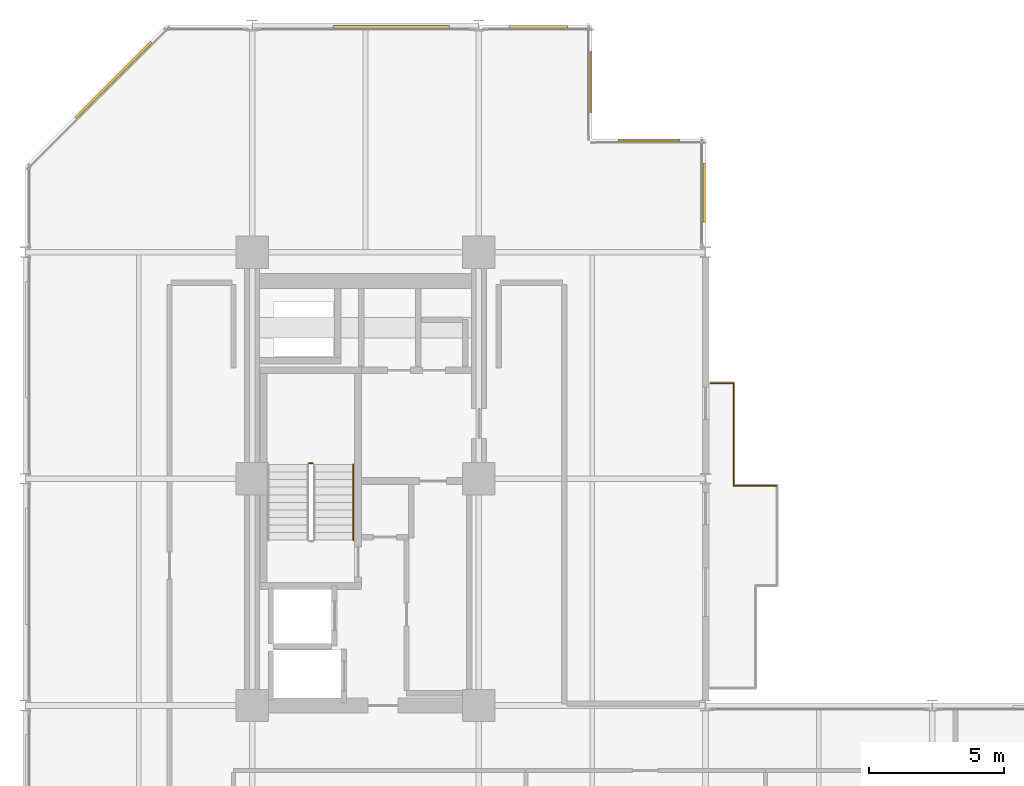
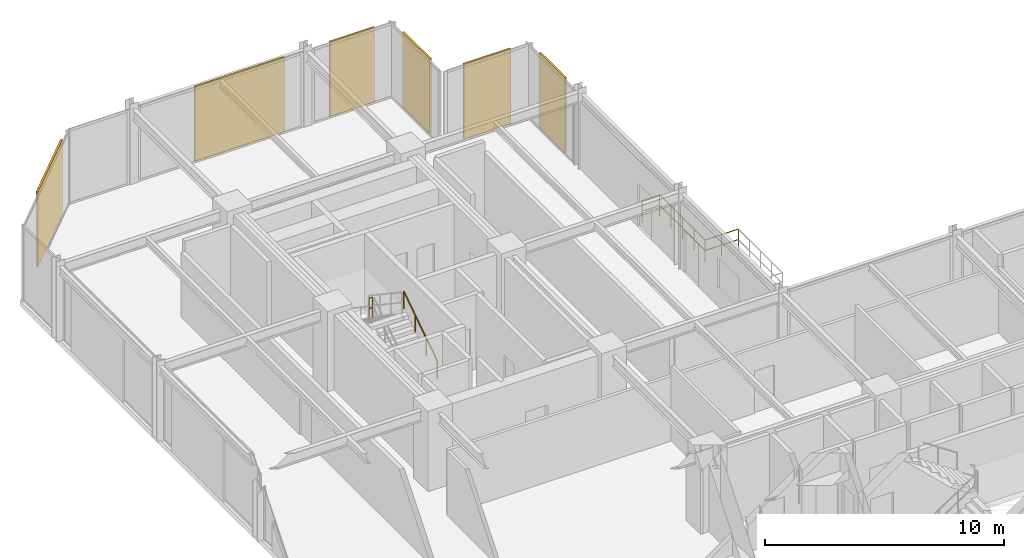
# One storey, part 29 of 29: 6 coverings, 5 railings.
"""IFC4 building model written with IfcOpenShell, lengths in metres."""

from ifc_helpers import new_model, si_unit, direction, frame, origin, origin_2d, place, context, subcontext, project, spatial, rectangle, circle, extrude, material, layer, layer_set, type_object, element, save


model = new_model("IFC4")

# Units and contexts
model_context = context("Model", 3, precision=1e-05, world=origin(), true_north=direction((0.0, 1.0)))
body_context = subcontext(model_context, "Body", "Model", "MODEL_VIEW")
ifc_project = project(units=[si_unit("LENGTHUNIT", "METRE"), si_unit("AREAUNIT", "SQUARE_METRE"), si_unit("VOLUMEUNIT", "CUBIC_METRE"), si_unit("PLANEANGLEUNIT", "RADIAN"), si_unit("MASSUNIT", "GRAM", prefix="KILO")], contexts=[model_context])

# Site, building, storey
site_placement = place(None, origin())
site = spatial("IfcSite", under=ifc_project, at=site_placement, CompositionType="ELEMENT")
building_placement = place(site_placement, origin())
building = spatial("IfcBuilding", under=site, at=building_placement, Name="Nerrivon Quay Data Exchange", CompositionType="ELEMENT")
storey_placement = place(building_placement, frame((0.0, 0.0, 150.0)))
storey = spatial("IfcBuildingStorey", under=building, at=storey_placement, Name="L35", CompositionType="ELEMENT", Elevation=150.0)

# Coverings
ifc_material_1 = material(Name="Architectural terracotta ceramic", Category="masonry")
ifc_layer = layer(ifc_material_1, 0.090087890625)
ifc_layer_set = layer_set([ifc_layer], Name="Architectural terracotta ceramic")
covering_type = type_object("IfcCoveringType", Name="COV-SCR-TERR", PredefinedType="CLADDING", material=ifc_layer_set)
covering_1_placement = place(storey_placement, frame((3.255859375, 48.39208984375, 0.0), z_axis=(0.0, 0.0, 1.0), x_axis=(0.707106781187, 0.707106781187, 0.0)))
element("IfcCovering", 1, at=covering_1_placement, inside=storey, type_object=covering_type, Name="L35 Perforated Terracotta SOLAR SCREEN Cassette", PredefinedType="CLADDING", context=body_context, shape_type="SweptSolid", body=[
    extrude(rectangle(XDim=3.970947265625, YDim=0.090087890625, at=origin_2d()), origin(), (0.0, 0.0, 1.0), 3.824951171875),
])
covering_2_placement = place(storey_placement, frame((13.56005859375, 50.35498046875, 0.0), z_axis=(0.0, 0.0, 1.0), x_axis=(1.0, 0.0, 0.0)))
element("IfcCovering", 2, at=covering_2_placement, inside=storey, type_object=covering_type, Name="L35 Perforated Terracotta SOLAR SCREEN Cassette", PredefinedType="CLADDING", context=body_context, shape_type="SweptSolid", body=[
    extrude(rectangle(XDim=4.320068359375, YDim=0.090087890625, at=origin_2d()), origin(), (0.0, 0.0, 1.0), 3.824951171875),
])
covering_3_placement = place(storey_placement, frame((19.0, 50.35498046875, 0.0), z_axis=(0.0, 0.0, 1.0), x_axis=(1.0, 0.0, 0.0)))
element("IfcCovering", 3, at=covering_3_placement, inside=storey, type_object=covering_type, Name="L35 Perforated Terracotta SOLAR SCREEN Cassette", PredefinedType="CLADDING", context=body_context, shape_type="SweptSolid", body=[
    extrude(rectangle(XDim=2.159912109375, YDim=0.090087890625, at=origin_2d()), origin(), (0.0, 0.0, 1.0), 3.824951171875),
])
for number, where, z_axis, x_axis, name in (
    (4, (20.955078125, 48.300048828125, 0.0), (0.0, 0.0, 1.0), (0.0, -1.0, 0.0), "L35 Perforated Terracotta SOLAR SCREEN Cassette"),
    (5, (23.10009765625, 46.155029296875, 0.0), (0.0, 0.0, 1.0), (1.0, 0.0, 0.0), "L35 Perforated Terracotta SOLAR SCREEN Cassette"),
):
    element("IfcCovering", number, at=place(storey_placement, frame(where, z_axis=z_axis, x_axis=x_axis)), inside=storey, type_object=covering_type, Name=name, PredefinedType="CLADDING", context=body_context, shape_type="SweptSolid", body=[
        extrude(rectangle(XDim=2.26806640625, YDim=0.090087890625, at=origin_2d()), origin(), (0.0, 0.0, 1.0), 3.824951171875),
    ])
covering_4_placement = place(storey_placement, frame((25.155029296875, 44.199951171875, 0.0), z_axis=(0.0, 0.0, 1.0), x_axis=(0.0, -1.0, 0.0)))
element("IfcCovering", 6, at=covering_4_placement, inside=storey, type_object=covering_type, Name="L35 Perforated Terracotta SOLAR SCREEN Cassette", PredefinedType="CLADDING", context=body_context, shape_type="SweptSolid", body=[
    extrude(rectangle(XDim=2.159912109375, YDim=0.090087890625, at=origin_2d()), origin(), (0.0, 0.0, 1.0), 3.824951171875),
])

# Railings
ifc_material_2 = material(Name="Steel Grade C350L0 (350 MPa)", Category="steel")
railing_type_1 = type_object("IfcRailingType", Name="RAIL-GUARD-GR2", PredefinedType="BALUSTRADE", material=ifc_material_2)
railing_1_placement = place(storey_placement, frame((25.3798828125, 37.139892578125, 0.0)))
element("IfcRailing", 7, at=railing_1_placement, inside=storey, type_object=railing_type_1, Name="L35 Verandah Balcony Guard 1.3 1", PredefinedType="BALUSTRADE", context=body_context, shape_type="SweptSolid", body=[
    extrude(circle(Radius=0.02392578125, at=origin_2d()), frame((0.0, 0.0, 1.09619140625), z_axis=(1.0, 0.0, 0.0), x_axis=(0.0, 1.0, 0.0)), (0.0, 0.0, 1.0), 0.860107421875),
    extrude(circle(Radius=0.02392578125, at=origin_2d()), frame((0.0, 0.0, 0.56005859375), z_axis=(1.0, 0.0, 0.0), x_axis=(0.0, 1.0, 0.0)), (0.0, 0.0, 1.0), 0.860107421875),
    extrude(circle(Radius=0.02099609375, at=origin_2d()), origin(), (0.0, 0.0, 1.0), 1.072021484375),
    extrude(circle(Radius=0.02099609375, at=origin_2d()), frame((0.860107421875, 0.0, 0.0)), (0.0, 0.0, 1.0), 1.072021484375),
])
railing_2_placement = place(storey_placement, frame((26.239990234375, 37.139892578125, 0.0)))
element("IfcRailing", 8, at=railing_2_placement, inside=storey, type_object=railing_type_1, Name="L35 Verandah Balcony Guard 1.4 1", PredefinedType="BALUSTRADE", context=body_context, shape_type="SweptSolid", body=[
    extrude(circle(Radius=0.02392578125, at=origin_2d()), frame((0.0, 0.0, 1.09619140625), z_axis=(0.0, -1.0, 0.0), x_axis=(1.0, 0.0, 0.0)), (0.0, 0.0, 1.0), 3.7998046875),
    extrude(circle(Radius=0.02392578125, at=origin_2d()), frame((0.0, 0.0, 0.56005859375), z_axis=(0.0, -1.0, 0.0), x_axis=(1.0, 0.0, 0.0)), (0.0, 0.0, 1.0), 3.7998046875),
    extrude(circle(Radius=0.02099609375, at=origin_2d()), origin(), (0.0, 0.0, 1.0), 1.072021484375),
    extrude(circle(Radius=0.02099609375, at=origin_2d()), frame((0.0, -0.949951171875, 0.0)), (0.0, 0.0, 1.0), 1.072021484375),
    extrude(circle(Radius=0.02099609375, at=origin_2d()), frame((0.0, -1.89990234375, 0.0)), (0.0, 0.0, 1.0), 1.072021484375),
    extrude(circle(Radius=0.02099609375, at=origin_2d()), frame((0.0, -2.849853515625, 0.0)), (0.0, 0.0, 1.0), 1.072021484375),
    extrude(circle(Radius=0.02099609375, at=origin_2d()), frame((0.0, -3.7998046875, 0.0)), (0.0, 0.0, 1.0), 1.072021484375),
])
railing_3_placement = place(storey_placement, frame((26.239990234375, 33.340087890625, 0.0)))
element("IfcRailing", 9, at=railing_3_placement, inside=storey, type_object=railing_type_1, Name="L35 Verandah Balcony Guard 1.5 1", PredefinedType="BALUSTRADE", context=body_context, shape_type="SweptSolid", body=[
    extrude(circle(Radius=0.02392578125, at=origin_2d()), frame((0.0, 0.0, 1.09619140625), z_axis=(1.0, 0.0, 0.0), x_axis=(0.0, 1.0, 0.0)), (0.0, 0.0, 1.0), 1.60009765625),
    extrude(circle(Radius=0.02392578125, at=origin_2d()), frame((0.0, 0.0, 0.56005859375), z_axis=(1.0, 0.0, 0.0), x_axis=(0.0, 1.0, 0.0)), (0.0, 0.0, 1.0), 1.60009765625),
    extrude(circle(Radius=0.02099609375, at=origin_2d()), origin(), (0.0, 0.0, 1.0), 1.072021484375),
    extrude(circle(Radius=0.02099609375, at=origin_2d()), frame((0.800048828125, 0.0, 0.0)), (0.0, 0.0, 1.0), 1.072021484375),
    extrude(circle(Radius=0.02099609375, at=origin_2d()), frame((1.60009765625, 0.0, 0.0)), (0.0, 0.0, 1.0), 1.072021484375),
])
railing_type_2 = type_object("IfcRailingType", Name="RAIL-HAND-HR1", PredefinedType="HANDRAIL", material=ifc_material_2)
railing_4_placement = place(storey_placement, frame((12.14990234375, 31.330078125, 0.186279296875)))
element("IfcRailing", 10, at=railing_4_placement, inside=storey, type_object=railing_type_2, Name="L35 ST01 stair handrail 1", PredefinedType="HANDRAIL", context=body_context, shape_type="SweptSolid", body=[
    extrude(circle(Radius=0.02392578125, at=origin_2d()), frame((0.0, 0.0, 0.8759765625), z_axis=(0.0, 0.832429786209, 0.554130536094), x_axis=(-1.0, 0.0, 0.0)), (0.0, 0.0, 1.0), 3.363525390625),
    extrude(circle(Radius=0.02099609375, at=origin_2d()), origin(), (0.0, 0.0, 1.0), 0.851806640625),
    extrude(circle(Radius=0.02099609375, at=origin_2d()), frame((0.0, 0.933349609375, 0.621337890625)), (0.0, 0.0, 1.0), 0.851806640625),
    extrude(circle(Radius=0.02099609375, at=origin_2d()), frame((0.0, 1.866455078125, 1.242431640625)), (0.0, 0.0, 1.0), 0.851806640625),
    extrude(circle(Radius=0.02099609375, at=origin_2d()), frame((0.0, 2.7998046875, 1.86376953125)), (0.0, 0.0, 1.0), 0.851806640625),
])
railing_type_3 = type_object("IfcRailingType", Name="RAIL-STAIR-GR1", PredefinedType="BALUSTRADE", material=ifc_material_2)
railing_5_placement = place(storey_placement, frame((10.64990234375, 34.179931640625, 2.050048828125)))
element("IfcRailing", 11, at=railing_5_placement, inside=storey, type_object=railing_type_3, Name="L35 ST01 stair guard 2", PredefinedType="BALUSTRADE", context=body_context, shape_type="SweptSolid", body=[
    extrude(circle(Radius=0.02392578125, at=origin_2d()), frame((0.0, 0.0, 1.076171875), z_axis=(-1.0, 0.0, 0.0), x_axis=(0.0, -1.0, 0.0)), (0.0, 0.0, 1.0), 0.14990234375),
    extrude(circle(Radius=0.02392578125, at=origin_2d()), frame((0.0, 0.0, 0.550048828125), z_axis=(-1.0, 0.0, 0.0), x_axis=(0.0, -1.0, 0.0)), (0.0, 0.0, 1.0), 0.14990234375),
    extrude(circle(Radius=0.02099609375, at=origin_2d()), origin(), (0.0, 0.0, 1.0), 1.052001953125),
    extrude(circle(Radius=0.02099609375, at=origin_2d()), frame((-0.14990234375, 0.0, 0.0)), (0.0, 0.0, 1.0), 1.052001953125),
])

save(model, "model.ifc")
